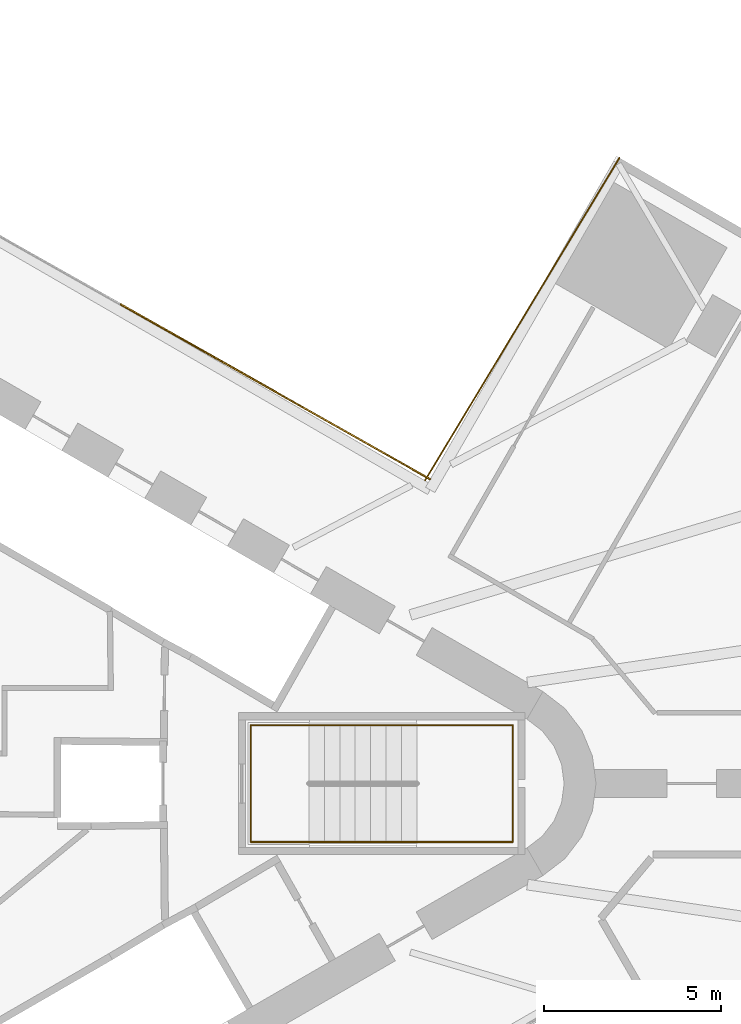
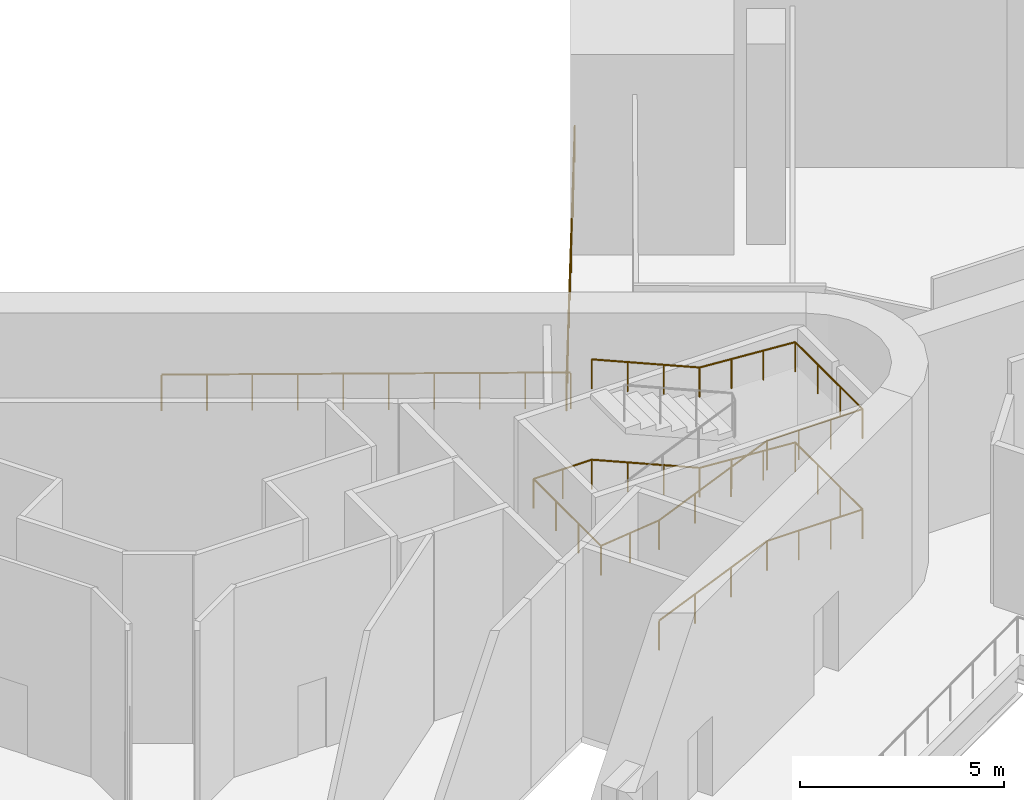
# One storey, part 11 of 11: 3 railings.
"""IFC4 building model written with IfcOpenShell, lengths in metres."""

from ifc_helpers import new_model, si_unit, direction, frame, origin, origin_2d, place, context, subcontext, project, spatial, circle, extrude, material, type_object, element, save


model = new_model("IFC4")

# Units and contexts
model_context = context("Model", 3, precision=1e-05, world=origin(), true_north=direction((0.0, 1.0)))
body_context = subcontext(model_context, "Body", "Model", "MODEL_VIEW")
ifc_project = project(units=[si_unit("LENGTHUNIT", "METRE"), si_unit("AREAUNIT", "SQUARE_METRE"), si_unit("VOLUMEUNIT", "CUBIC_METRE"), si_unit("PLANEANGLEUNIT", "RADIAN"), si_unit("MASSUNIT", "GRAM", prefix="KILO")], contexts=[model_context])

# Site, building, storey
site_placement = place(None, origin())
site = spatial("IfcSite", under=ifc_project, at=site_placement, CompositionType="ELEMENT")
building_placement = place(site_placement, origin())
building = spatial("IfcBuilding", under=site, at=building_placement, Name="Tanit Gate Tower", CompositionType="ELEMENT")
storey_placement = place(building_placement, frame((0.0, 0.0, 33.5)))
storey = spatial("IfcBuildingStorey", under=building, at=storey_placement, Name="L05", CompositionType="ELEMENT", Elevation=33.5)

# Railings
ifc_material_1 = material(Name="Stainless steel", Category="steel")
railing_type_1 = type_object("IfcRailingType", Name="Guard 1100 stainless steel balustrade", PredefinedType="GUARDRAIL", material=ifc_material_1)
railing_1_placement = place(storey_placement, frame((16.37353515625, 8.56005859375, 0.0)))
element("IfcRailing", 1, at=railing_1_placement, inside=storey, type_object=railing_type_1, Name="Tunnel edge guard L05 5", PredefinedType="GUARDRAIL", context=body_context, shape_type="SweptSolid", body=[
    extrude(circle(Radius=0.02392578125, at=origin_2d()), frame((0.0, 0.0, 1.076171875), z_axis=(0.516210356507, 0.856461830927, 0.0), x_axis=(-0.856461830927, 0.516210356507, 0.0)), (0.0, 0.0, 1.0), 10.630859375),
    extrude(circle(Radius=0.02099609375, at=origin_2d()), origin(), (0.0, 0.0, 1.0), 1.052001953125),
    extrude(circle(Radius=0.02099609375, at=origin_2d()), frame((0.60986328125, 1.01171875, 0.0)), (0.0, 0.0, 1.0), 1.052001953125),
    extrude(circle(Radius=0.02099609375, at=origin_2d()), frame((1.219482421875, 2.0234375, 0.0)), (0.0, 0.0, 1.0), 1.052001953125),
    extrude(circle(Radius=0.02099609375, at=origin_2d()), frame((1.829345703125, 3.034912109375, 0.0)), (0.0, 0.0, 1.0), 1.052001953125),
    extrude(circle(Radius=0.02099609375, at=origin_2d()), frame((2.43896484375, 4.046630859375, 0.0)), (0.0, 0.0, 1.0), 1.052001953125),
    extrude(circle(Radius=0.02099609375, at=origin_2d()), frame((3.048828125, 5.058349609375, 0.0)), (0.0, 0.0, 1.0), 1.052001953125),
    extrude(circle(Radius=0.02099609375, at=origin_2d()), frame((3.658447265625, 6.070068359375, 0.0)), (0.0, 0.0, 1.0), 1.052001953125),
    extrude(circle(Radius=0.02099609375, at=origin_2d()), frame((4.268310546875, 7.08154296875, 0.0)), (0.0, 0.0, 1.0), 1.052001953125),
    extrude(circle(Radius=0.02099609375, at=origin_2d()), frame((4.8779296875, 8.09326171875, 0.0)), (0.0, 0.0, 1.0), 1.052001953125),
    extrude(circle(Radius=0.02099609375, at=origin_2d()), frame((5.48779296875, 9.10498046875, 0.0)), (0.0, 0.0, 1.0), 1.052001953125),
])
railing_2_placement = place(storey_placement, frame((7.78271484375, 13.52685546875, 0.0)))
element("IfcRailing", 2, at=railing_2_placement, inside=storey, type_object=railing_type_1, Name="Tunnel edge guard L05 6", PredefinedType="GUARDRAIL", context=body_context, shape_type="SweptSolid", body=[
    extrude(circle(Radius=0.02392578125, at=origin_2d()), frame((0.0, 0.0, 1.076171875), z_axis=(0.870681662692, -0.491846970359, 0.0), x_axis=(0.491846970359, 0.870681662692, 0.0)), (0.0, 0.0, 1.0), 10.023681640625),
    extrude(circle(Radius=0.02099609375, at=origin_2d()), origin(), (0.0, 0.0, 1.0), 1.052001953125),
    extrude(circle(Radius=0.02099609375, at=origin_2d()), frame((0.9697265625, -0.5478515625, 0.0)), (0.0, 0.0, 1.0), 1.052001953125),
    extrude(circle(Radius=0.02099609375, at=origin_2d()), frame((1.939453125, -1.095703125, 0.0)), (0.0, 0.0, 1.0), 1.052001953125),
    extrude(circle(Radius=0.02099609375, at=origin_2d()), frame((2.9091796875, -1.643310546875, 0.0)), (0.0, 0.0, 1.0), 1.052001953125),
    extrude(circle(Radius=0.02099609375, at=origin_2d()), frame((3.87890625, -2.191162109375, 0.0)), (0.0, 0.0, 1.0), 1.052001953125),
    extrude(circle(Radius=0.02099609375, at=origin_2d()), frame((4.8486328125, -2.739013671875, 0.0)), (0.0, 0.0, 1.0), 1.052001953125),
    extrude(circle(Radius=0.02099609375, at=origin_2d()), frame((5.818359375, -3.286865234375, 0.0)), (0.0, 0.0, 1.0), 1.052001953125),
    extrude(circle(Radius=0.02099609375, at=origin_2d()), frame((6.7880859375, -3.83447265625, 0.0)), (0.0, 0.0, 1.0), 1.052001953125),
    extrude(circle(Radius=0.02099609375, at=origin_2d()), frame((7.7578125, -4.38232421875, 0.0)), (0.0, 0.0, 1.0), 1.052001953125),
    extrude(circle(Radius=0.02099609375, at=origin_2d()), frame((8.7275390625, -4.93017578125, 0.0)), (0.0, 0.0, 1.0), 1.052001953125),
])
ifc_material_2 = material(Name="Stainless steel handrail", Category="steel")
railing_type_2 = type_object("IfcRailingType", Name="INT-STAIR-HANDRAIL", PredefinedType="HANDRAIL", material=ifc_material_2)
railing_3_placement = place(storey_placement, frame((13.094970703125, -1.64990234375, 0.1875)))
element("IfcRailing", 3, at=railing_3_placement, inside=storey, type_object=railing_type_2, Name="L05 S1 stair handrail 1", PredefinedType="HANDRAIL", context=body_context, shape_type="SweptSolid", body=[
    extrude(circle(Radius=0.02392578125, at=origin_2d()), frame((0.0, 0.0, 0.8759765625), z_axis=(0.918608089886, 0.0, 0.395169808052), x_axis=(0.0, 1.0, 0.0)), (0.0, 0.0, 1.0), 3.3212890625),
    extrude(circle(Radius=0.02392578125, at=origin_2d()), frame((3.051025390625, 0.0, 2.1884765625), z_axis=(1.0, 0.0, 0.0), x_axis=(0.0, 1.0, 0.0)), (0.0, 0.0, 1.0), 2.7041015625),
    extrude(circle(Radius=0.02392578125, at=origin_2d()), frame((5.755126953125, 0.0, 2.1884765625), z_axis=(0.0, 1.0, 0.0), x_axis=(-1.0, 0.0, 0.0)), (0.0, 0.0, 1.0), 3.2998046875),
    extrude(circle(Radius=0.02392578125, at=origin_2d()), frame((5.755126953125, 3.2998046875, 2.1884765625), z_axis=(-0.997604677724, 0.0, 0.069173022074), x_axis=(0.0, -1.0, 0.0)), (0.0, 0.0, 1.0), 2.710693359375),
    extrude(circle(Radius=0.02392578125, at=origin_2d()), frame((3.051025390625, 3.2998046875, 2.3759765625), z_axis=(-0.918608089886, 0.0, 0.395169808052), x_axis=(0.0, -1.0, 0.0)), (0.0, 0.0, 1.0), 3.3212890625),
    extrude(circle(Radius=0.02392578125, at=origin_2d()), frame((0.0, 3.2998046875, 3.6884765625), z_axis=(-1.0, 0.0, 0.0), x_axis=(0.0, -1.0, 0.0)), (0.0, 0.0, 1.0), 1.64501953125),
    extrude(circle(Radius=0.02392578125, at=origin_2d()), frame((-1.64501953125, 3.2998046875, 3.6884765625), z_axis=(0.0, -1.0, 0.0), x_axis=(1.0, 0.0, 0.0)), (0.0, 0.0, 1.0), 3.2998046875),
    extrude(circle(Radius=0.02392578125, at=origin_2d()), frame((-1.64501953125, 0.0, 3.6884765625), z_axis=(0.99356684807, 0.0, 0.113247156325), x_axis=(0.0, 1.0, 0.0)), (0.0, 0.0, 1.0), 1.65576171875),
    extrude(circle(Radius=0.02392578125, at=origin_2d()), frame((0.0, 0.0, 3.8759765625), z_axis=(0.918608089886, 0.0, 0.395169808052), x_axis=(0.0, 1.0, 0.0)), (0.0, 0.0, 1.0), 3.3212890625),
    extrude(circle(Radius=0.02392578125, at=origin_2d()), frame((3.051025390625, 0.0, 5.1884765625), z_axis=(1.0, 0.0, 0.0), x_axis=(0.0, 1.0, 0.0)), (0.0, 0.0, 1.0), 2.7041015625),
    extrude(circle(Radius=0.02392578125, at=origin_2d()), frame((5.755126953125, 0.0, 5.1884765625), z_axis=(0.0, 1.0, 0.0), x_axis=(-1.0, 0.0, 0.0)), (0.0, 0.0, 1.0), 3.2998046875),
    extrude(circle(Radius=0.02392578125, at=origin_2d()), frame((5.755126953125, 3.2998046875, 5.1884765625), z_axis=(-0.997604677724, 0.0, 0.069173022074), x_axis=(0.0, -1.0, 0.0)), (0.0, 0.0, 1.0), 2.710693359375),
    extrude(circle(Radius=0.02392578125, at=origin_2d()), frame((3.051025390625, 3.2998046875, 5.3759765625), z_axis=(-0.918608089886, 0.0, 0.395169808052), x_axis=(0.0, -1.0, 0.0)), (0.0, 0.0, 1.0), 3.3212890625),
    extrude(circle(Radius=0.02099609375, at=origin_2d()), origin(), (0.0, 0.0, 1.0), 0.851806640625),
    extrude(circle(Radius=0.02099609375, at=origin_2d()), frame((1.01708984375, 0.0, 0.4375)), (0.0, 0.0, 1.0), 0.851806640625),
    extrude(circle(Radius=0.02099609375, at=origin_2d()), frame((2.033935546875, 0.0, 0.875)), (0.0, 0.0, 1.0), 0.851806640625),
    extrude(circle(Radius=0.02099609375, at=origin_2d()), frame((3.051025390625, 0.0, 1.3125)), (0.0, 0.0, 1.0), 0.851806640625),
    extrude(circle(Radius=0.02099609375, at=origin_2d()), frame((3.952392578125, 0.0, 1.3125)), (0.0, 0.0, 1.0), 0.851806640625),
    extrude(circle(Radius=0.02099609375, at=origin_2d()), frame((4.853759765625, 0.0, 1.3125)), (0.0, 0.0, 1.0), 0.851806640625),
    extrude(circle(Radius=0.02099609375, at=origin_2d()), frame((5.755126953125, 0.0, 1.3125)), (0.0, 0.0, 1.0), 0.851806640625),
    extrude(circle(Radius=0.02099609375, at=origin_2d()), frame((5.755126953125, 1.099853515625, 1.3125)), (0.0, 0.0, 1.0), 0.851806640625),
    extrude(circle(Radius=0.02099609375, at=origin_2d()), frame((5.755126953125, 2.199951171875, 1.3125)), (0.0, 0.0, 1.0), 0.851806640625),
    extrude(circle(Radius=0.02099609375, at=origin_2d()), frame((5.755126953125, 3.2998046875, 1.3125)), (0.0, 0.0, 1.0), 0.851806640625),
    extrude(circle(Radius=0.02099609375, at=origin_2d()), frame((4.853759765625, 3.2998046875, 1.375)), (0.0, 0.0, 1.0), 0.851806640625),
    extrude(circle(Radius=0.02099609375, at=origin_2d()), frame((3.952392578125, 3.2998046875, 1.4375)), (0.0, 0.0, 1.0), 0.851806640625),
    extrude(circle(Radius=0.02099609375, at=origin_2d()), frame((3.051025390625, 3.2998046875, 1.5)), (0.0, 0.0, 1.0), 0.851806640625),
    extrude(circle(Radius=0.02099609375, at=origin_2d()), frame((2.033935546875, 3.2998046875, 1.9375)), (0.0, 0.0, 1.0), 0.851806640625),
    extrude(circle(Radius=0.02099609375, at=origin_2d()), frame((1.01708984375, 3.2998046875, 2.375)), (0.0, 0.0, 1.0), 0.851806640625),
    extrude(circle(Radius=0.02099609375, at=origin_2d()), frame((0.0, 3.2998046875, 2.8125)), (0.0, 0.0, 1.0), 0.851806640625),
    extrude(circle(Radius=0.02099609375, at=origin_2d()), frame((-0.822509765625, 3.2998046875, 2.8125)), (0.0, 0.0, 1.0), 0.851806640625),
    extrude(circle(Radius=0.02099609375, at=origin_2d()), frame((-1.64501953125, 3.2998046875, 2.8125)), (0.0, 0.0, 1.0), 0.851806640625),
    extrude(circle(Radius=0.02099609375, at=origin_2d()), frame((-1.64501953125, 2.199951171875, 2.8125)), (0.0, 0.0, 1.0), 0.851806640625),
    extrude(circle(Radius=0.02099609375, at=origin_2d()), frame((-1.64501953125, 1.099853515625, 2.8125)), (0.0, 0.0, 1.0), 0.851806640625),
    extrude(circle(Radius=0.02099609375, at=origin_2d()), frame((-1.64501953125, 0.0, 2.8125)), (0.0, 0.0, 1.0), 0.851806640625),
    extrude(circle(Radius=0.02099609375, at=origin_2d()), frame((-0.822509765625, 0.0, 2.90625)), (0.0, 0.0, 1.0), 0.851806640625),
    extrude(circle(Radius=0.02099609375, at=origin_2d()), frame((0.0, 0.0, 3.0)), (0.0, 0.0, 1.0), 0.851806640625),
    extrude(circle(Radius=0.02099609375, at=origin_2d()), frame((1.01708984375, 0.0, 3.4375)), (0.0, 0.0, 1.0), 0.851806640625),
    extrude(circle(Radius=0.02099609375, at=origin_2d()), frame((2.033935546875, 0.0, 3.875)), (0.0, 0.0, 1.0), 0.851806640625),
    extrude(circle(Radius=0.02099609375, at=origin_2d()), frame((3.051025390625, 0.0, 4.3125)), (0.0, 0.0, 1.0), 0.851806640625),
    extrude(circle(Radius=0.02099609375, at=origin_2d()), frame((3.952392578125, 0.0, 4.3125)), (0.0, 0.0, 1.0), 0.851806640625),
    extrude(circle(Radius=0.02099609375, at=origin_2d()), frame((4.853759765625, 0.0, 4.3125)), (0.0, 0.0, 1.0), 0.851806640625),
    extrude(circle(Radius=0.02099609375, at=origin_2d()), frame((5.755126953125, 0.0, 4.3125)), (0.0, 0.0, 1.0), 0.851806640625),
    extrude(circle(Radius=0.02099609375, at=origin_2d()), frame((5.755126953125, 1.099853515625, 4.3125)), (0.0, 0.0, 1.0), 0.851806640625),
    extrude(circle(Radius=0.02099609375, at=origin_2d()), frame((5.755126953125, 2.199951171875, 4.3125)), (0.0, 0.0, 1.0), 0.851806640625),
    extrude(circle(Radius=0.02099609375, at=origin_2d()), frame((5.755126953125, 3.2998046875, 4.3125)), (0.0, 0.0, 1.0), 0.851806640625),
    extrude(circle(Radius=0.02099609375, at=origin_2d()), frame((4.853759765625, 3.2998046875, 4.375)), (0.0, 0.0, 1.0), 0.851806640625),
    extrude(circle(Radius=0.02099609375, at=origin_2d()), frame((3.952392578125, 3.2998046875, 4.4375)), (0.0, 0.0, 1.0), 0.851806640625),
    extrude(circle(Radius=0.02099609375, at=origin_2d()), frame((3.051025390625, 3.2998046875, 4.5)), (0.0, 0.0, 1.0), 0.851806640625),
    extrude(circle(Radius=0.02099609375, at=origin_2d()), frame((2.033935546875, 3.2998046875, 4.9375)), (0.0, 0.0, 1.0), 0.851806640625),
    extrude(circle(Radius=0.02099609375, at=origin_2d()), frame((1.01708984375, 3.2998046875, 5.375)), (0.0, 0.0, 1.0), 0.851806640625),
    extrude(circle(Radius=0.02099609375, at=origin_2d()), frame((0.0, 3.2998046875, 5.8125)), (0.0, 0.0, 1.0), 0.851806640625),
])

save(model, "model.ifc")
